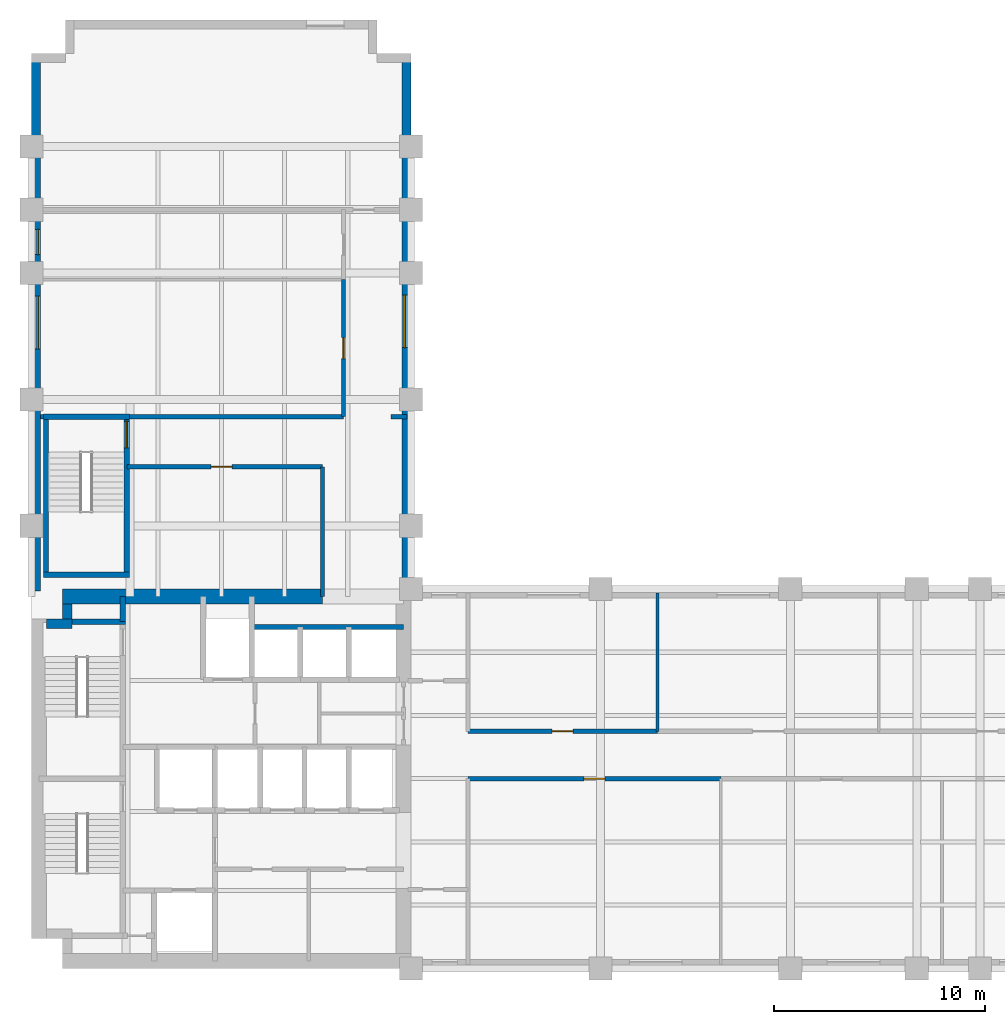
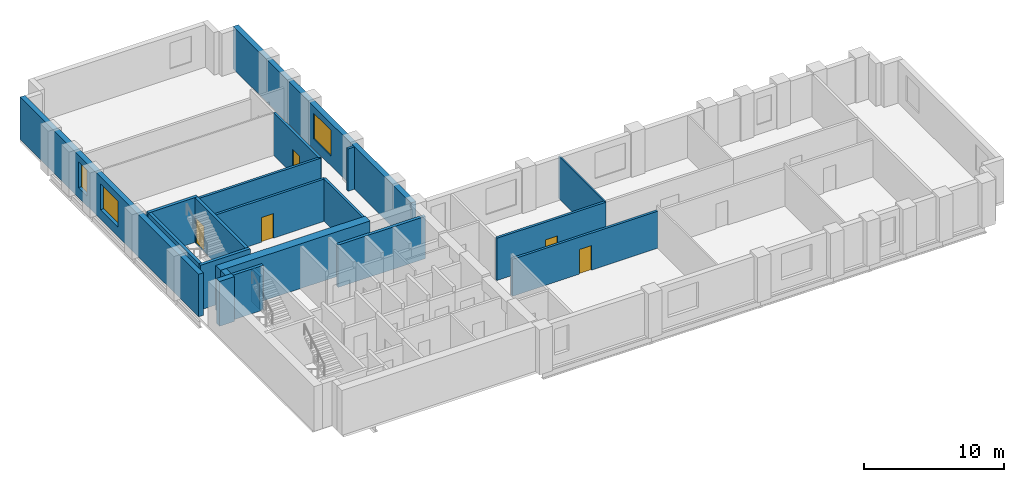
# One storey, part 4 of 7: 21 walls, 5 doors, 3 windows, 8 openings.
"""IFC4 building model written with IfcOpenShell, lengths in metres."""

from ifc_helpers import new_model, si_unit, direction, frame, frame_2d, origin, place, context, subcontext, project, spatial, rectangle, extrude, material, layer, layer_set, type_object, element, fill, save


model = new_model("IFC4")

# Units and contexts
model_context = context("Model", 3, precision=1e-05, world=origin(), true_north=direction((0.0, 1.0)))
body_context = subcontext(model_context, "Body", "Model", "MODEL_VIEW")
ifc_project = project(units=[si_unit("LENGTHUNIT", "METRE"), si_unit("AREAUNIT", "SQUARE_METRE"), si_unit("VOLUMEUNIT", "CUBIC_METRE"), si_unit("PLANEANGLEUNIT", "RADIAN"), si_unit("MASSUNIT", "GRAM", prefix="KILO")], contexts=[model_context])

# Site, building, storey
site_placement = place(None, origin())
site = spatial("IfcSite", under=ifc_project, at=site_placement, CompositionType="ELEMENT")
building_placement = place(site_placement, origin())
building = spatial("IfcBuilding", under=site, at=building_placement, Name="Mawjdan Bourse Tower", CompositionType="ELEMENT")
storey_placement = place(building_placement, frame((0.0, 0.0, 108.89990234375)))
storey = spatial("IfcBuildingStorey", under=building, at=storey_placement, Name="L25", CompositionType="ELEMENT", Elevation=108.89990234375)

# Wall, opening, window
ifc_material_1 = material(Name="Brick Masonry Buff", Category="masonry")
ifc_layer_1 = layer(ifc_material_1, 0.419921875)
ifc_layer_set_1 = layer_set([ifc_layer_1], Name="Brick Masonry Buff")
wall_type_1 = type_object("IfcWallType", Name="WL-BRK-BUFF-420", PredefinedType="STANDARD", material=ifc_layer_set_1)
wall_1_placement = place(storey_placement, frame((23.7900390625, 21.0, 0.0), z_axis=(0.0, 0.0, 1.0), x_axis=(0.0, 1.0, 0.0)))
wall_1 = element("IfcWall", 1, at=wall_1_placement, inside=storey, type_object=wall_type_1, Name="L25 Exterior Brick Wall 8", PredefinedType="STANDARD", context=body_context, shape_type="SweptSolid", body=[
    extrude(rectangle(XDim=25.39990234375, YDim=0.419921875, at=frame_2d((12.699951171875, 0.0))), origin(), (0.0, 0.0, 1.0), 3.7001953125),
])
opening_1_placement = place(wall_1_placement, frame((11.449951171875, 0.0, 0.85009765625)))
opening_1 = element("IfcOpeningElement", 2, at=opening_1_placement, cuts=wall_1, Name="Opening W-L25-05", PredefinedType="OPENING", context=body_context, shape_type="SweptSolid", body=[
    extrude(rectangle(XDim=2.5, YDim=2.25, at=frame_2d((1.25, 1.125))), frame((0.0, 0.219970703125, 0.0), z_axis=(0.0, -1.0, 0.0), x_axis=(1.0, 0.0, 0.0)), (0.0, 0.0, 1.0), 0.43994140625),
])
ifc_material_2 = material(Name="Solar-Control Clear Double Glazing", Category="glass")
window_type_1 = type_object("IfcWindowType", Name="WN-Z2-2500", PartitioningType="SINGLE_PANEL", PredefinedType="WINDOW", material=ifc_material_2)
window_1_placement = place(opening_1_placement, origin())
window_1 = element("IfcWindow", 3, at=window_1_placement, inside=storey, type_object=window_type_1, Name="L25 Deep-Set Masonry Window W-L25-05", OverallHeight=2.25, OverallWidth=2.5, PartitioningType="SINGLE_PANEL", PredefinedType="WINDOW", context=body_context, shape_type="SweptSolid", body=[
    extrude(rectangle(XDim=2.5, YDim=2.25, at=frame_2d((1.25, 1.125))), frame((0.0, 0.110107421875, 0.0), z_axis=(0.0, -1.0, 0.0), x_axis=(1.0, 0.0, 0.0)), (0.0, 0.0, 1.0), 0.06005859375),
])
fill(opening_1, window_1)

# Wall, openings, windows
wall_2_placement = place(storey_placement, frame((6.2099609375, 46.39990234375, 0.0), z_axis=(0.0, 0.0, 1.0), x_axis=(0.0, -1.0, 0.0)))
wall_2 = element("IfcWall", 4, at=wall_2_placement, inside=storey, type_object=wall_type_1, Name="L25 Exterior Brick Wall 14", PredefinedType="STANDARD", context=body_context, shape_type="SweptSolid", body=[
    extrude(rectangle(XDim=25.5, YDim=0.419921875, at=frame_2d((12.75, 0.0))), origin(), (0.0, 0.0, 1.0), 3.7001953125),
])
opening_2_placement = place(wall_2_placement, frame((11.5, 0.0, 0.85009765625)))
opening_2 = element("IfcOpeningElement", 5, at=opening_2_placement, cuts=wall_2, Name="Opening W-L25-07", PredefinedType="OPENING", context=body_context, shape_type="SweptSolid", body=[
    extrude(rectangle(XDim=2.5, YDim=2.25, at=frame_2d((1.25, 1.125))), frame((0.0, 0.219970703125, 0.0), z_axis=(0.0, -1.0, 0.0), x_axis=(1.0, 0.0, 0.0)), (0.0, 0.0, 1.0), 0.43994140625),
])
opening_3_placement = place(wall_2_placement, frame((8.336181640625, 0.0, 0.85009765625)))
opening_3 = element("IfcOpeningElement", 6, at=opening_3_placement, cuts=wall_2, Name="Opening W-L25-14", PredefinedType="OPENING", context=body_context, shape_type="SweptSolid", body=[
    extrude(rectangle(XDim=1.199951171875, YDim=2.25, at=frame_2d((0.60009765625, 1.125))), frame((0.0, 0.219970703125, 0.0), z_axis=(0.0, -1.0, 0.0), x_axis=(1.0, 0.0, 0.0)), (0.0, 0.0, 1.0), 0.43994140625),
])
window_type_2 = type_object("IfcWindowType", Name="WN-Z2-1200", PartitioningType="SINGLE_PANEL", PredefinedType="WINDOW", material=ifc_material_2)
window_2_placement = place(opening_3_placement, origin())
window_2 = element("IfcWindow", 7, at=window_2_placement, inside=storey, type_object=window_type_2, Name="L25 Deep-Set Masonry Window W-L25-14", OverallHeight=2.25, OverallWidth=1.199951171875, PartitioningType="SINGLE_PANEL", PredefinedType="WINDOW", context=body_context, shape_type="SweptSolid", body=[
    extrude(rectangle(XDim=1.199951171875, YDim=2.25, at=frame_2d((0.60009765625, 1.125))), frame((0.0, 0.110107421875, 0.0), z_axis=(0.0, -1.0, 0.0), x_axis=(1.0, 0.0, 0.0)), (0.0, 0.0, 1.0), 0.06005859375),
])
fill(opening_3, window_2)
window_3_placement = place(opening_2_placement, origin())
window_3 = element("IfcWindow", 8, at=window_3_placement, inside=storey, type_object=window_type_1, Name="L25 Deep-Set Masonry Window W-L25-07", OverallHeight=2.25, OverallWidth=2.5, PartitioningType="SINGLE_PANEL", PredefinedType="WINDOW", context=body_context, shape_type="SweptSolid", body=[
    extrude(rectangle(XDim=2.5, YDim=2.25, at=frame_2d((1.25, 1.125))), frame((0.0, 0.110107421875, 0.0), z_axis=(0.0, -1.0, 0.0), x_axis=(1.0, 0.0, 0.0)), (0.0, 0.0, 1.0), 0.06005859375),
])
fill(opening_2, window_3)

# Wall, opening, door
ifc_material_3 = material(Name="Gypsum Fireboard Assembly")
ifc_layer_2 = layer(ifc_material_3, 0.199951171875)
ifc_layer_set_2 = layer_set([ifc_layer_2], Name="Gypsum Fireboard Assembly")
wall_type_2 = type_object("IfcWallType", Name="WL-CMP-200", PredefinedType="PARTITIONING", material=ifc_layer_set_2)
wall_3_placement = place(storey_placement, frame((26.699951171875, 12.0, 0.0), z_axis=(0.0, 0.0, 1.0), x_axis=(1.0, 0.0, 0.0)))
wall_3 = element("IfcWall", 9, at=wall_3_placement, inside=storey, type_object=wall_type_2, Name="L25 Capital Markets Office Corridor Wall", PredefinedType="PARTITIONING", context=body_context, shape_type="SweptSolid", body=[
    extrude(rectangle(XDim=12.0, YDim=0.199951171875, at=frame_2d((6.0, 0.0))), origin(), (0.0, 0.0, 1.0), 3.22705078125),
])
opening_4_placement = place(wall_3_placement, frame((5.5, 0.0, 0.0)))
opening_4 = element("IfcOpeningElement", 10, at=opening_4_placement, cuts=wall_3, Name="Opening D-L25-22", PredefinedType="OPENING", context=body_context, shape_type="SweptSolid", body=[
    extrude(rectangle(XDim=1.0, YDim=2.14990234375, at=frame_2d((0.5, 1.074951171875))), frame((0.0, 0.10986328125, 0.0), z_axis=(0.0, -1.0, 0.0), x_axis=(1.0, 0.0, 0.0)), (0.0, 0.0, 1.0), 0.219970703125),
])
ifc_material_4 = material(Name="Hardwood Acoustic Leaf", Category="wood")
door_type_1 = type_object("IfcDoorType", Name="DR-OFC-1000", OperationType="NOTDEFINED", PredefinedType="DOOR", material=ifc_material_4)
door_1_placement = place(opening_4_placement, origin())
door_1 = element("IfcDoor", 11, at=door_1_placement, inside=storey, type_object=door_type_1, Name="L25 Capital Markets Office Door D-L25-22", OperationType="SINGLE_SWING_RIGHT", OverallHeight=2.14990234375, OverallWidth=1.0, PredefinedType="DOOR", context=body_context, shape_type="SweptSolid", body=[
    extrude(rectangle(XDim=1.0, YDim=2.14990234375, at=frame_2d((0.5, 1.074951171875))), frame((0.0, 0.02490234375, 0.0), z_axis=(0.0, -1.0, 0.0), x_axis=(1.0, 0.0, 0.0)), (0.0, 0.0, 1.0), 0.050048828125),
])
fill(opening_4, door_1)

wall_4_placement = place(storey_placement, frame((26.699951171875, 14.25, 0.0), z_axis=(0.0, 0.0, 1.0), x_axis=(1.0, 0.0, 0.0)))
wall_4 = element("IfcWall", 12, at=wall_4_placement, inside=storey, type_object=wall_type_2, Name="L25 Executive Office Corridor Wall", PredefinedType="PARTITIONING", context=body_context, shape_type="SweptSolid", body=[
    extrude(rectangle(XDim=9.0, YDim=0.199951171875, at=frame_2d((4.5, 0.0))), origin(), (0.0, 0.0, 1.0), 3.690185546875),
])
opening_5_placement = place(wall_4_placement, frame((4.0, 0.0, 0.0)))
opening_5 = element("IfcOpeningElement", 13, at=opening_5_placement, cuts=wall_4, Name="Opening D-L25-25", PredefinedType="OPENING", context=body_context, shape_type="SweptSolid", body=[
    extrude(rectangle(XDim=1.0, YDim=2.14990234375, at=frame_2d((0.5, 1.074951171875))), frame((0.0, 0.10986328125, 0.0), z_axis=(0.0, -1.0, 0.0), x_axis=(1.0, 0.0, 0.0)), (0.0, 0.0, 1.0), 0.219970703125),
])
door_2_placement = place(opening_5_placement, origin())
door_2 = element("IfcDoor", 14, at=door_2_placement, inside=storey, type_object=door_type_1, Name="L25 Executive Office Door D-L25-25", OperationType="SINGLE_SWING_LEFT", OverallHeight=2.14990234375, OverallWidth=1.0, PredefinedType="DOOR", context=body_context, shape_type="SweptSolid", body=[
    extrude(rectangle(XDim=1.0, YDim=2.14990234375, at=frame_2d((0.5, 1.074951171875))), frame((0.0, 0.02490234375, 0.0), z_axis=(0.0, -1.0, 0.0), x_axis=(1.0, 0.0, 0.0)), (0.0, 0.0, 1.0), 0.050048828125),
])
fill(opening_5, door_2)

wall_5_placement = place(storey_placement, frame((10.52001953125, 26.800048828125, 0.0), z_axis=(0.0, 0.0, 1.0), x_axis=(1.0, 0.0, 0.0)))
wall_5 = element("IfcWall", 15, at=wall_5_placement, inside=storey, type_object=wall_type_2, Name="L25 North Throat North Wall", PredefinedType="PARTITIONING", context=body_context, shape_type="SweptSolid", body=[
    extrude(rectangle(XDim=9.280029296875, YDim=0.199951171875, at=frame_2d((4.64013671875, 0.0))), origin(), (0.0, 0.0, 1.0), 3.690185546875),
])
opening_6_placement = place(wall_5_placement, frame((4.0, 0.0, 0.0)))
opening_6 = element("IfcOpeningElement", 16, at=opening_6_placement, cuts=wall_5, Name="Opening D-L25-29", PredefinedType="OPENING", context=body_context, shape_type="SweptSolid", body=[
    extrude(rectangle(XDim=1.0, YDim=2.14990234375, at=frame_2d((0.5, 1.074951171875))), frame((0.0, 0.10986328125, 0.0), z_axis=(0.0, -1.0, 0.0), x_axis=(1.0, 0.0, 0.0)), (0.0, 0.0, 1.0), 0.219970703125),
])
door_3_placement = place(opening_6_placement, origin())
door_3 = element("IfcDoor", 17, at=door_3_placement, inside=storey, type_object=door_type_1, Name="L25 North Throat Suite Door D-L25-29", OperationType="SINGLE_SWING_RIGHT", OverallHeight=2.14990234375, OverallWidth=1.0, PredefinedType="DOOR", context=body_context, shape_type="SweptSolid", body=[
    extrude(rectangle(XDim=1.0, YDim=2.14990234375, at=frame_2d((0.5, 1.074951171875))), frame((0.0, 0.02490234375, 0.0), z_axis=(0.0, -1.0, 0.0), x_axis=(1.0, 0.0, 0.0)), (0.0, 0.0, 1.0), 0.050048828125),
])
fill(opening_6, door_3)

# Walls
wall_6_placement = place(storey_placement, frame((19.800048828125, 20.64990234375, 0.0), z_axis=(0.0, 0.0, 1.0), x_axis=(0.0, 1.0, 0.0)))
element("IfcWall", 18, at=wall_6_placement, inside=storey, type_object=wall_type_2, Name="L25 North Throat East Wall", PredefinedType="PARTITIONING", context=body_context, shape_type="SweptSolid", body=[
    extrude(rectangle(XDim=6.150146484375, YDim=0.199951171875, at=frame_2d((3.0751953125, 0.0))), origin(), (0.0, 0.0, 1.0), 3.690185546875),
])
wall_7_placement = place(storey_placement, frame((6.419921875, 29.179931640625, 0.0), z_axis=(0.0, 0.0, 1.0), x_axis=(1.0, 0.0, 0.0)))
element("IfcWall", 19, at=wall_7_placement, inside=storey, type_object=wall_type_2, Name="L25 North West Band ST3 West Return", PredefinedType="PARTITIONING", context=body_context, shape_type="SweptSolid", body=[
    extrude(rectangle(XDim=0.135009765625, YDim=0.199951171875, at=frame_2d((0.0673828125, 0.0))), origin(), (0.0, 0.0, 1.0), 3.690185546875),
])
wall_8_placement = place(storey_placement, frame((10.6298828125, 29.179931640625, 0.0), z_axis=(0.0, 0.0, 1.0), x_axis=(1.0, 0.0, 0.0)))
element("IfcWall", 20, at=wall_8_placement, inside=storey, type_object=wall_type_2, Name="L25 North West Band South Wall", PredefinedType="PARTITIONING", context=body_context, shape_type="SweptSolid", body=[
    extrude(rectangle(XDim=10.170166015625, YDim=0.199951171875, at=frame_2d((5.0849609375, 0.0))), origin(), (0.0, 0.0, 1.0), 3.690185546875),
])
wall_9_placement = place(storey_placement, frame((23.050048828125, 29.179931640625, 0.0), z_axis=(0.0, 0.0, 1.0), x_axis=(1.0, 0.0, 0.0)))
element("IfcWall", 21, at=wall_9_placement, inside=storey, type_object=wall_type_2, Name="L25 North East Band South Wall", PredefinedType="PARTITIONING", context=body_context, shape_type="SweptSolid", body=[
    extrude(rectangle(XDim=0.77001953125, YDim=0.199951171875, at=frame_2d((0.385009765625, 0.0))), origin(), (0.0, 0.0, 1.0), 3.690185546875),
])

# Wall, opening, door
wall_10_placement = place(storey_placement, frame((20.800048828125, 29.179931640625, 0.0), z_axis=(0.0, 0.0, 1.0), x_axis=(0.0, 1.0, 0.0)))
wall_10 = element("IfcWall", 22, at=wall_10_placement, inside=storey, type_object=wall_type_2, Name="L25 Corporate Finance Office Corridor Wall", PredefinedType="PARTITIONING", context=body_context, shape_type="SweptSolid", body=[
    extrude(rectangle(XDim=6.5, YDim=0.199951171875, at=frame_2d((3.25, 0.0))), origin(), (0.0, 0.0, 1.0), 3.690185546875),
])
opening_7_placement = place(wall_10_placement, frame((2.75, 0.0, 0.0)))
opening_7 = element("IfcOpeningElement", 23, at=opening_7_placement, cuts=wall_10, Name="Opening D-L25-30", PredefinedType="OPENING", context=body_context, shape_type="SweptSolid", body=[
    extrude(rectangle(XDim=1.0, YDim=2.14990234375, at=frame_2d((0.5, 1.074951171875))), frame((0.0, 0.10986328125, 0.0), z_axis=(0.0, -1.0, 0.0), x_axis=(1.0, 0.0, 0.0)), (0.0, 0.0, 1.0), 0.219970703125),
])
door_4_placement = place(opening_7_placement, origin())
door_4 = element("IfcDoor", 24, at=door_4_placement, inside=storey, type_object=door_type_1, Name="L25 Corporate Finance Office Door D-L25-30", OperationType="SINGLE_SWING_LEFT", OverallHeight=2.14990234375, OverallWidth=1.0, PredefinedType="DOOR", context=body_context, shape_type="SweptSolid", body=[
    extrude(rectangle(XDim=1.0, YDim=2.14990234375, at=frame_2d((0.5, 1.074951171875))), frame((0.0, 0.02490234375, 0.0), z_axis=(0.0, -1.0, 0.0), x_axis=(1.0, 0.0, 0.0)), (0.0, 0.0, 1.0), 0.050048828125),
])
fill(opening_7, door_4)

# Walls
ifc_material_5 = material(Name="Concrete C60/75", Category="concrete")
ifc_layer_3 = layer(ifc_material_5, 0.449951171875)
ifc_layer_set_3 = layer_set([ifc_layer_3], Name="Concrete C60/75")
wall_type_3 = type_object("IfcWallType", Name="WL-CORE-450", PredefinedType="SHEAR", material=ifc_layer_set_3)
wall_11_placement = place(storey_placement, frame((6.699951171875, 19.35009765625, 0.0), z_axis=(0.0, 0.0, 1.0), x_axis=(1.0, 0.0, 0.0)))
element("IfcWall", 25, at=wall_11_placement, inside=storey, type_object=wall_type_3, Name="L25 Rear Core Shear Wall NW-X", PredefinedType="SHEAR", context=body_context, shape_type="SweptSolid", body=[
    extrude(rectangle(XDim=1.22509765625, YDim=0.449951171875, at=frame_2d((0.612548828125, 0.0))), origin(), (0.0, 0.0, 1.0), 3.900146484375),
])
wall_12_placement = place(storey_placement, frame((7.699951171875, 19.574951171875, 0.0), z_axis=(0.0, 0.0, 1.0), x_axis=(0.0, 1.0, 0.0)))
element("IfcWall", 26, at=wall_12_placement, inside=storey, type_object=wall_type_3, Name="L25 Rear Core Shear Wall NW-Y", PredefinedType="SHEAR", context=body_context, shape_type="SweptSolid", body=[
    extrude(rectangle(XDim=0.72509765625, YDim=0.449951171875, at=frame_2d((0.362548828125, 0.0))), origin(), (0.0, 0.0, 1.0), 3.900146484375),
])
ifc_material_6 = material(Name="Concrete C70/85", Category="concrete")
ifc_layer_4 = layer(ifc_material_6, 0.699951171875)
ifc_layer_set_4 = layer_set([ifc_layer_4], Name="Concrete C70/85")
wall_type_4 = type_object("IfcWallType", Name="WL-CORE-700", PredefinedType="SHEAR", material=ifc_layer_set_4)
wall_13_placement = place(storey_placement, frame((7.47509765625, 20.64990234375, 0.0), z_axis=(0.0, 0.0, 1.0), x_axis=(1.0, 0.0, 0.0)))
element("IfcWall", 27, at=wall_13_placement, inside=storey, type_object=wall_type_4, Name="L25 Rear Core Shear Wall N", PredefinedType="SHEAR", context=body_context, shape_type="SweptSolid", body=[
    extrude(rectangle(XDim=12.324951171875, YDim=0.699951171875, at=frame_2d((6.16259765625, 0.0))), origin(), (0.0, 0.0, 1.0), 3.900146484375),
])
ifc_material_7 = material(Name="Gypsum Partition")
ifc_layer_5 = layer(ifc_material_7, 0.125)
ifc_layer_set_5 = layer_set([ifc_layer_5], Name="Gypsum Partition")
wall_type_5 = type_object("IfcWallType", Name="WL-PRT-125", PredefinedType="PARTITIONING", material=ifc_layer_set_5)
wall_14_placement = place(storey_placement, frame((35.699951171875, 14.25, 0.0), z_axis=(0.0, 0.0, 1.0), x_axis=(0.0, 1.0, 0.0)))
element("IfcWall", 28, at=wall_14_placement, inside=storey, type_object=wall_type_5, Name="L25 Conference Room Partition", PredefinedType="PARTITIONING", context=body_context, shape_type="SweptSolid", body=[
    extrude(rectangle(XDim=6.570068359375, YDim=0.125, at=frame_2d((3.28515625, 0.0))), origin(), (0.0, 0.0, 1.0), 3.690185546875),
])
ifc_material_8 = material(Name="Concrete C50/60", Category="concrete")
ifc_layer_6 = layer(ifc_material_8, 0.25)
ifc_layer_set_6 = layer_set([ifc_layer_6], Name="Concrete C50/60")
wall_type_6 = type_object("IfcWallType", Name="WL-SHFT-250", PredefinedType="PARTITIONING", material=ifc_layer_set_6)
wall_15_placement = place(storey_placement, frame((10.330078125, 19.449951171875, 0.0), z_axis=(0.0, 0.0, 1.0), x_axis=(0.0, 1.0, 0.0)))
element("IfcWall", 29, at=wall_15_placement, inside=storey, type_object=wall_type_6, Name="L25 NW Riser East Wall", PredefinedType="PARTITIONING", context=body_context, shape_type="SweptSolid", body=[
    extrude(rectangle(XDim=1.199951171875, YDim=0.25, at=frame_2d((0.60009765625, 0.0))), origin(), (0.0, 0.0, 1.0), 2.9169921875),
])
wall_16_placement = place(storey_placement, frame((16.449951171875, 19.199951171875, 0.0), z_axis=(0.0, 0.0, 1.0), x_axis=(1.0, 0.0, 0.0)))
element("IfcWall", 30, at=wall_16_placement, inside=storey, type_object=wall_type_6, Name="L25 PH Bank North Shaft Back Wall", PredefinedType="PARTITIONING", context=body_context, shape_type="SweptSolid", body=[
    extrude(rectangle(XDim=7.199951171875, YDim=0.25, at=frame_2d((3.60009765625, 0.0))), origin(), (0.0, 0.0, 1.0), 3.690185546875),
])
ifc_layer_7 = layer(ifc_material_8, 0.25)
ifc_layer_set_7 = layer_set([ifc_layer_7], Name="Concrete C50/60")
wall_type_7 = type_object("IfcWallType", Name="WL-STRW-250", PredefinedType="SHEAR", material=ifc_layer_set_7)
wall_17_placement = place(storey_placement, frame((7.699951171875, 19.449951171875, 0.0), z_axis=(0.0, 0.0, 1.0), x_axis=(1.0, 0.0, 0.0)))
element("IfcWall", 31, at=wall_17_placement, inside=storey, type_object=wall_type_7, Name="L25 Stairwell ST2 North Shaft Wall", PredefinedType="SHEAR", context=body_context, shape_type="SweptSolid", body=[
    extrude(rectangle(XDim=2.755126953125, YDim=0.25, at=frame_2d((1.37744140625, 0.0))), origin(), (0.0, 0.0, 1.0), 3.900146484375),
])
for number, where, z_axis, x_axis, name in (
    (32, (6.554931640625, 21.679931640625, 0.0), (0.0, 0.0, 1.0), (1.0, 0.0, 0.0), "L25 ST3 South Shaft Wall"),
    (33, (6.554931640625, 29.179931640625, 0.0), (0.0, 0.0, 1.0), (1.0, 0.0, 0.0), "L25 ST3 North Shaft Wall"),
):
    element("IfcWall", number, at=place(storey_placement, frame(where, z_axis=z_axis, x_axis=x_axis)), inside=storey, type_object=wall_type_7, Name=name, PredefinedType="SHEAR", context=body_context, shape_type="SweptSolid", body=[
        extrude(rectangle(XDim=4.090087890625, YDim=0.25, at=frame_2d((2.044921875, 0.0))), origin(), (0.0, 0.0, 1.0), 3.900146484375),
    ])
wall_18_placement = place(storey_placement, frame((6.679931640625, 21.679931640625, 0.0), z_axis=(0.0, 0.0, 1.0), x_axis=(0.0, 1.0, 0.0)))
element("IfcWall", 34, at=wall_18_placement, inside=storey, type_object=wall_type_7, Name="L25 ST3 West Shaft Wall", PredefinedType="SHEAR", context=body_context, shape_type="SweptSolid", body=[
    extrude(rectangle(XDim=7.5, YDim=0.25, at=frame_2d((3.75, 0.0))), origin(), (0.0, 0.0, 1.0), 3.900146484375),
])

# Wall, opening, door
wall_19_placement = place(storey_placement, frame((10.52001953125, 21.679931640625, 0.0), z_axis=(0.0, 0.0, 1.0), x_axis=(0.0, 1.0, 0.0)))
wall_19 = element("IfcWall", 35, at=wall_19_placement, inside=storey, type_object=wall_type_7, Name="L25 ST3 East Shaft Wall", PredefinedType="SHEAR", context=body_context, shape_type="SweptSolid", body=[
    extrude(rectangle(XDim=7.5, YDim=0.25, at=frame_2d((3.75, 0.0))), origin(), (0.0, 0.0, 1.0), 3.900146484375),
])
opening_8_placement = place(wall_19_placement, frame((6.02001953125, 0.0, 0.0)))
opening_8 = element("IfcOpeningElement", 36, at=opening_8_placement, cuts=wall_19, Name="Opening SD-L25-19", PredefinedType="OPENING", context=body_context, shape_type="SweptSolid", body=[
    extrude(rectangle(XDim=1.25, YDim=2.199951171875, at=frame_2d((0.625, 1.10009765625))), frame((0.0, 0.135009765625, 0.0), z_axis=(0.0, -1.0, 0.0), x_axis=(1.0, 0.0, 0.0)), (0.0, 0.0, 1.0), 0.27001953125),
])
ifc_material_9 = material(Name="Fire-Rated Steel Leaf", Category="steel")
door_type_2 = type_object("IfcDoorType", Name="FD-ST-1250", OperationType="NOTDEFINED", PredefinedType="DOOR", material=ifc_material_9)
door_5_placement = place(opening_8_placement, origin())
door_5 = element("IfcDoor", 37, at=door_5_placement, inside=storey, type_object=door_type_2, Name="L25 Stair ST3 Fire Door SD-L25-19", OperationType="SINGLE_SWING_LEFT", OverallHeight=2.199951171875, OverallWidth=1.25, PredefinedType="DOOR", context=body_context, shape_type="SweptSolid", body=[
    extrude(rectangle(XDim=1.25, YDim=2.199951171875, at=frame_2d((0.625, 1.10009765625))), frame((0.0, 0.02490234375, 0.0), z_axis=(0.0, -1.0, 0.0), x_axis=(1.0, 0.0, 0.0)), (0.0, 0.0, 1.0), 0.050048828125),
])
fill(opening_8, door_5)

save(model, "model.ifc")
